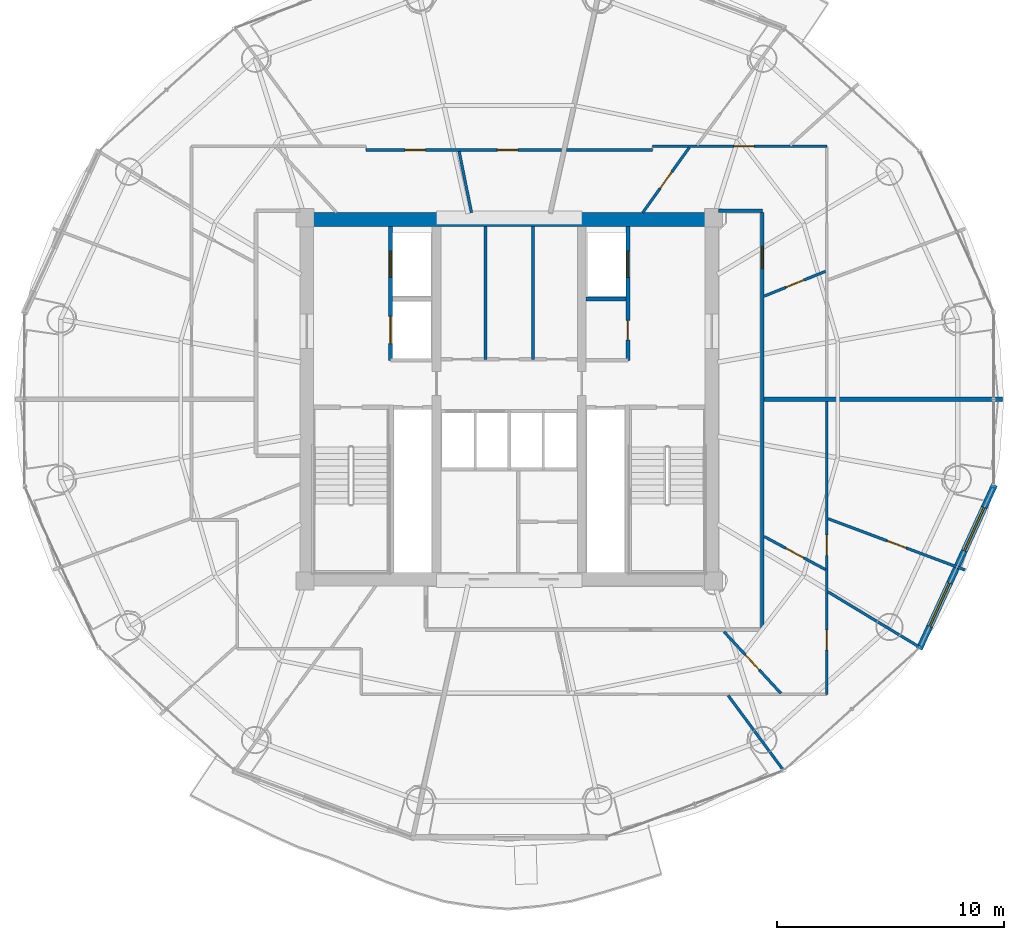
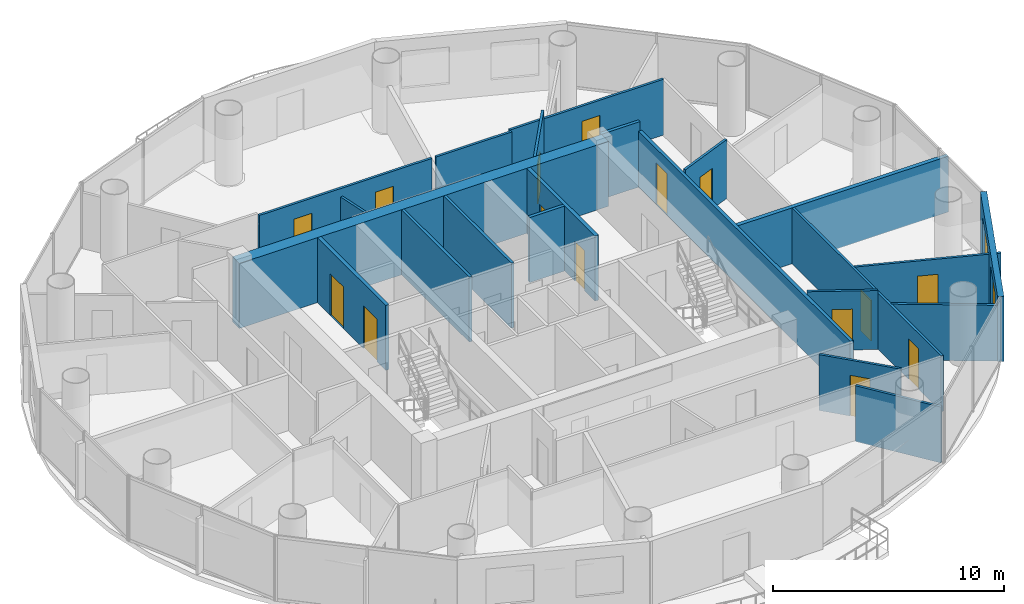
# One storey, part 22 of 26: 22 walls, 15 doors, 2 windows, 17 openings.
"""IFC4 building model written with IfcOpenShell, lengths in metres."""

from ifc_helpers import new_model, si_unit, direction, frame, frame_2d, origin, place, context, subcontext, project, spatial, rectangle, extrude, source, transform, mapped, material, layer, layer_set, type_object, element, fill, save


model = new_model("IFC4")

# Units and contexts
model_context = context("Model", 3, precision=1e-05, world=origin(), true_north=direction((-0.2419218956, 0.970295726276)))
body_context = subcontext(model_context, "Body", "Model", "MODEL_VIEW")
ifc_project = project(units=[si_unit("LENGTHUNIT", "METRE"), si_unit("AREAUNIT", "SQUARE_METRE"), si_unit("VOLUMEUNIT", "CUBIC_METRE"), si_unit("PLANEANGLEUNIT", "RADIAN"), si_unit("MASSUNIT", "GRAM", prefix="KILO")], contexts=[model_context])

# Site, building, storey
site_placement = place(None, origin())
site = spatial("IfcSite", under=ifc_project, at=site_placement, CompositionType="ELEMENT")
building_placement = place(site_placement, origin())
building = spatial("IfcBuilding", under=site, at=building_placement, Name="Cobrevalo Terracotta Tower", CompositionType="ELEMENT")
storey_placement = place(building_placement, frame((0.0, 0.0, 220.800048828125)))
storey = spatial("IfcBuildingStorey", under=building, at=storey_placement, Name="L58", CompositionType="ELEMENT", Elevation=220.800048828125)

# Walls
ifc_material_1 = material(Name="Concrete C55", Category="concrete")
ifc_layer_1 = layer(ifc_material_1, 0.60009765625)
ifc_layer_set_1 = layer_set([ifc_layer_1], Name="Concrete C55")
wall_type_1 = type_object("IfcWallType", Name="Core shear wall 600 mm Concrete C55", PredefinedType="SHEAR", material=ifc_layer_set_1)
wall_1_placement = place(storey_placement, frame((28.77490234375, 34.72509765625, 0.0), z_axis=(0.0, 0.0, 1.0), x_axis=(1.0, 0.0, 0.0)))
element("IfcWall", 1, at=wall_1_placement, inside=storey, type_object=wall_type_1, Name="L58 north core shear wall", PredefinedType="SHEAR", context=body_context, shape_type="SweptSolid", body=[
    extrude(rectangle(XDim=18.4501953125, YDim=0.60009765625, at=frame_2d((9.22509765625, 0.0))), origin(), (0.0, 0.0, 1.0), 3.43505859375),
])
ifc_material_2 = material(Name="Gypsum board on steel stud", Category="steel")
ifc_layer_2 = layer(ifc_material_2, 0.159912109375)
ifc_layer_set_2 = layer_set([ifc_layer_2], Name="Gypsum board on steel stud")
wall_type_2 = type_object("IfcWallType", Name="Fire-rated corridor acoustic partition wall 160 mm", PredefinedType="PARTITIONING", material=ifc_layer_set_2)
wall_2_placement = place(storey_placement, frame((41.389892578125, 31.219970703125, 0.0), z_axis=(0.0, 0.0, 1.0), x_axis=(1.0, 0.0, 0.0)))
element("IfcWall", 2, at=wall_2_placement, inside=storey, type_object=wall_type_2, Name="L58 interior partition IW-L58-FF2-M", PredefinedType="PARTITIONING", context=body_context, shape_type="SweptSolid", body=[
    extrude(rectangle(XDim=1.75, YDim=0.159912109375, at=frame_2d((0.875, 0.0))), origin(), (0.0, 0.0, 1.0), 3.43505859375),
])

# Wall, opening, door
wall_3_placement = place(storey_placement, frame((49.155029296875, 16.72509765625, 0.0), z_axis=(0.0, 0.0, 1.0), x_axis=(0.0, 1.0, 0.0)))
wall_3 = element("IfcWall", 3, at=wall_3_placement, inside=storey, type_object=wall_type_2, Name="L58 interior partition IW-L58-COR-E", PredefinedType="PARTITIONING", context=body_context, shape_type="SweptSolid", body=[
    extrude(rectangle(XDim=18.2998046875, YDim=0.159912109375, at=frame_2d((9.14990234375, 0.0))), origin(), (0.0, 0.0, 1.0), 2.950927734375),
])
opening_1_placement = place(wall_3_placement, frame((15.836669921875, 0.0, 0.0)))
opening_1 = element("IfcOpeningElement", 4, at=opening_1_placement, cuts=wall_3, Name="Opening ID-05", PredefinedType="OPENING", context=body_context, shape_type="SweptSolid", body=[
    extrude(rectangle(XDim=0.97998046875, YDim=2.199951171875, at=frame_2d((0.489990234375, 1.10009765625))), frame((0.0, 0.08984375, 0.0), z_axis=(0.0, -1.0, 0.0), x_axis=(1.0, 0.0, 0.0)), (0.0, 0.0, 1.0), 0.179931640625),
])
ifc_material_3 = material(Name="Solid hardwood timber", Category="wood")
door_type_1 = type_object("IfcDoorType", Name="Residence entrance fire-rated acoustic timber door 980x2200 EI 60", OperationType="NOTDEFINED", PredefinedType="DOOR", material=ifc_material_3)
shared_shape_1 = source(origin(), body_context, "Body", "SweptSolid", [
    extrude(rectangle(XDim=0.97998046875, YDim=2.199951171875, at=frame_2d((0.489990234375, 1.10009765625))), frame((0.0, 0.02490234375, 0.0), z_axis=(0.0, -1.0, 0.0), x_axis=(1.0, 0.0, 0.0)), (0.0, 0.0, 1.0), 0.050048828125),
])
door_1_placement = place(opening_1_placement, frame((0.97998046875, 0.0, 0.0), z_axis=(0.0, 0.0, 1.0), x_axis=(-1.0, 0.0, 0.0)))
door_1 = element("IfcDoor", 5, at=door_1_placement, inside=storey, type_object=door_type_1, Name="Flat L58A fire-rated apartment entrance door", OperationType="SINGLE_SWING_RIGHT", OverallHeight=2.199951171875, OverallWidth=0.97998046875, PredefinedType="DOOR", context=body_context, shape_type="MappedRepresentation", body=[
    mapped(shared_shape_1, transform((0.0, 0.0, 0.0), scale=1.0)),
])
fill(opening_1, door_1)

# Wall
wall_4_placement = place(storey_placement, frame((47.22509765625, 35.10498046875, 0.0), z_axis=(0.0, 0.0, 1.0), x_axis=(1.0, 0.0, 0.0)))
element("IfcWall", 6, at=wall_4_placement, inside=storey, type_object=wall_type_2, Name="L58 interior partition IW-L58-COR-EN-CAP", PredefinedType="PARTITIONING", context=body_context, shape_type="SweptSolid", body=[
    extrude(rectangle(XDim=1.929931640625, YDim=0.159912109375, at=frame_2d((0.96484375, 0.0))), origin(), (0.0, 0.0, 1.0), 3.43505859375),
])

# Wall, openings, doors
ifc_layer_3 = layer(ifc_material_2, 0.179931640625)
ifc_layer_set_3 = layer_set([ifc_layer_3], Name="Gypsum board on steel stud")
wall_type_3 = type_object("IfcWallType", Name="Fire-rated shaft & lobby acoustic partition wall 180 mm", PredefinedType="PARTITIONING", material=ifc_layer_set_3)
wall_5_placement = place(storey_placement, frame((32.77001953125, 28.52001953125, 0.0), z_axis=(0.0, 0.0, 1.0), x_axis=(0.0, 1.0, 0.0)))
wall_5 = element("IfcWall", 7, at=wall_5_placement, inside=storey, type_object=wall_type_3, Name="L58 interior partition IW-L58-FF1-W", PredefinedType="PARTITIONING", context=body_context, shape_type="SweptSolid", body=[
    extrude(rectangle(XDim=5.905029296875, YDim=0.179931640625, at=frame_2d((2.95263671875, 0.0))), origin(), (0.0, 0.0, 1.0), 3.43505859375),
])
opening_2_placement = place(wall_5_placement, frame((3.655029296875, 0.0, 0.0)))
opening_2 = element("IfcOpeningElement", 8, at=opening_2_placement, cuts=wall_5, Name="Opening LD-02", PredefinedType="OPENING", context=body_context, shape_type="SweptSolid", body=[
    extrude(rectangle(XDim=1.14990234375, YDim=2.199951171875, at=frame_2d((0.574951171875, 1.10009765625))), frame((0.0, 0.10009765625, 0.0), z_axis=(0.0, -1.0, 0.0), x_axis=(1.0, 0.0, 0.0)), (0.0, 0.0, 1.0), 0.199951171875),
])
opening_3_placement = place(wall_5_placement, frame((0.72998046875, 0.0, 0.0)))
opening_3 = element("IfcOpeningElement", 9, at=opening_3_placement, cuts=wall_5, Name="Opening LD-03", PredefinedType="OPENING", context=body_context, shape_type="SweptSolid", body=[
    extrude(rectangle(XDim=1.199951171875, YDim=2.25, at=frame_2d((0.60009765625, 1.125))), frame((0.0, 0.10009765625, 0.0), z_axis=(0.0, -1.0, 0.0), x_axis=(1.0, 0.0, 0.0)), (0.0, 0.0, 1.0), 0.199951171875),
])
ifc_material_4 = material(Name="Brushed stainless steel", Category="steel")
door_type_2 = type_object("IfcDoorType", Name="Firefighting lift landing bi-parting sliding door 1150x2200 EI 120", OperationType="DOUBLE_DOOR_SLIDING", PredefinedType="DOOR", material=ifc_material_4)
shared_shape_2 = source(origin(), body_context, "Body", "SweptSolid", [
    extrude(rectangle(XDim=1.14990234375, YDim=2.199951171875, at=frame_2d((0.574951171875, 1.10009765625))), frame((0.0, 0.02490234375, 0.0), z_axis=(0.0, -1.0, 0.0), x_axis=(1.0, 0.0, 0.0)), (0.0, 0.0, 1.0), 0.050048828125),
])
door_2_placement = place(opening_2_placement, origin())
door_2 = element("IfcDoor", 10, at=door_2_placement, inside=storey, type_object=door_type_2, Name="L58 lift landing door FF-1", OperationType="DOUBLE_DOOR_SLIDING", OverallHeight=2.199951171875, OverallWidth=1.14990234375, PredefinedType="DOOR", context=body_context, shape_type="MappedRepresentation", body=[
    mapped(shared_shape_2, transform((0.0, 0.0, 0.0), scale=1.0)),
])
fill(opening_2, door_2)
door_type_3 = type_object("IfcDoorType", Name="Service lift landing bi-parting sliding door 1200x2250 EI 120", OperationType="DOUBLE_DOOR_SLIDING", PredefinedType="DOOR", material=ifc_material_4)
shared_shape_3 = source(origin(), body_context, "Body", "SweptSolid", [
    extrude(rectangle(XDim=1.199951171875, YDim=2.25, at=frame_2d((0.60009765625, 1.125))), frame((0.0, 0.02490234375, 0.0), z_axis=(0.0, -1.0, 0.0), x_axis=(1.0, 0.0, 0.0)), (0.0, 0.0, 1.0), 0.050048828125),
])
door_3_placement = place(opening_3_placement, origin())
door_3 = element("IfcDoor", 11, at=door_3_placement, inside=storey, type_object=door_type_3, Name="L58 lift landing door SV-1", OperationType="DOUBLE_DOOR_SLIDING", OverallHeight=2.25, OverallWidth=1.199951171875, PredefinedType="DOOR", context=body_context, shape_type="MappedRepresentation", body=[
    mapped(shared_shape_3, transform((0.0, 0.0, 0.0), scale=1.0)),
])
fill(opening_3, door_3)

wall_6_placement = place(storey_placement, frame((43.22998046875, 28.52001953125, 0.0), z_axis=(0.0, 0.0, 1.0), x_axis=(0.0, 1.0, 0.0)))
wall_6 = element("IfcWall", 12, at=wall_6_placement, inside=storey, type_object=wall_type_3, Name="L58 interior partition IW-L58-FF2-E", PredefinedType="PARTITIONING", context=body_context, shape_type="SweptSolid", body=[
    extrude(rectangle(XDim=5.905029296875, YDim=0.179931640625, at=frame_2d((2.95263671875, 0.0))), origin(), (0.0, 0.0, 1.0), 3.43505859375),
])
opening_4_placement = place(wall_6_placement, frame((0.905029296875, 0.0, 0.0)))
opening_4 = element("IfcOpeningElement", 13, at=opening_4_placement, cuts=wall_6, Name="Opening ID-22", PredefinedType="OPENING", context=body_context, shape_type="SweptSolid", body=[
    extrude(rectangle(XDim=0.85009765625, YDim=2.10009765625, at=frame_2d((0.425048828125, 1.050048828125))), frame((0.0, 0.10009765625, 0.0), z_axis=(0.0, -1.0, 0.0), x_axis=(1.0, 0.0, 0.0)), (0.0, 0.0, 1.0), 0.199951171875),
])
opening_5_placement = place(wall_6_placement, frame((3.655029296875, 0.0, 0.0)))
opening_5 = element("IfcOpeningElement", 14, at=opening_5_placement, cuts=wall_6, Name="Opening LD-02", PredefinedType="OPENING", context=body_context, shape_type="SweptSolid", body=[
    extrude(rectangle(XDim=1.14990234375, YDim=2.199951171875, at=frame_2d((0.574951171875, 1.10009765625))), frame((0.0, 0.10009765625, 0.0), z_axis=(0.0, -1.0, 0.0), x_axis=(1.0, 0.0, 0.0)), (0.0, 0.0, 1.0), 0.199951171875),
])
ifc_material_5 = material(Name="Powder-coated steel", Category="steel")
door_type_4 = type_object("IfcDoorType", Name="Riser shaft & meter closet fire access door 850x2100 EI 60", OperationType="NOTDEFINED", PredefinedType="DOOR", material=ifc_material_5)
shared_shape_4 = source(origin(), body_context, "Body", "SweptSolid", [
    extrude(rectangle(XDim=0.85009765625, YDim=2.10009765625, at=frame_2d((0.425048828125, 1.050048828125))), frame((0.0, 0.02490234375, 0.0), z_axis=(0.0, -1.0, 0.0), x_axis=(1.0, 0.0, 0.0)), (0.0, 0.0, 1.0), 0.050048828125),
])
door_4_placement = place(opening_4_placement, frame((0.85009765625, 0.0, 0.0), z_axis=(0.0, 0.0, 1.0), x_axis=(-1.0, 0.0, 0.0)))
door_4 = element("IfcDoor", 15, at=door_4_placement, inside=storey, type_object=door_type_4, Name="L58 housekeeping store door", OperationType="SINGLE_SWING_RIGHT", OverallHeight=2.10009765625, OverallWidth=0.85009765625, PredefinedType="DOOR", context=body_context, shape_type="MappedRepresentation", body=[
    mapped(shared_shape_4, transform((0.0, 0.0, 0.0), scale=1.0)),
])
fill(opening_4, door_4)
door_5_placement = place(opening_5_placement, origin())
door_5 = element("IfcDoor", 16, at=door_5_placement, inside=storey, type_object=door_type_2, Name="L58 lift landing door FF-2", OperationType="DOUBLE_DOOR_SLIDING", OverallHeight=2.199951171875, OverallWidth=1.14990234375, PredefinedType="DOOR", context=body_context, shape_type="MappedRepresentation", body=[
    mapped(shared_shape_2, transform((0.0, 0.0, 0.0), scale=1.0)),
])
fill(opening_5, door_5)

# Wall
ifc_material_6 = material(Name="Autoclaved aerated concrete block", Category="concrete")
ifc_layer_4 = layer(ifc_material_6, 0.199951171875)
ifc_layer_set_4 = layer_set([ifc_layer_4], Name="Autoclaved aerated concrete block")
wall_type_4 = type_object("IfcWallType", Name="Fire-rated stair, shaft & demising masonry wall 200 mm", PredefinedType="PARTITIONING", material=ifc_layer_set_4)
wall_7_placement = place(storey_placement, frame((49.237060546875, 26.800048828125, 0.0), z_axis=(0.0, 0.0, 1.0), x_axis=(1.0, 0.0, 0.0)))
element("IfcWall", 17, at=wall_7_placement, inside=storey, type_object=wall_type_4, Name="L58 interior partition IW-L58-DEM-1", PredefinedType="PARTITIONING", context=body_context, shape_type="SweptSolid", body=[
    extrude(rectangle(XDim=10.5029296875, YDim=0.199951171875, at=frame_2d((5.25146484375, 0.0))), origin(), (0.0, 0.0, 1.0), 2.950927734375),
])

# Wall, openings, windows
ifc_layer_5 = layer(ifc_material_6, 0.280029296875)
ifc_layer_set_5 = layer_set([ifc_layer_5], Name="Autoclaved aerated concrete block")
wall_type_5 = type_object("IfcWallType", Name="Insulated tower spandrel & pier wall 280 mm with terracotta rainscreen", PredefinedType="SOLIDWALL", material=ifc_layer_set_5)
wall_8_placement = place(storey_placement, frame((56.06787109375, 15.79931640625, 0.0), z_axis=(0.0, 0.0, 1.0), x_axis=(0.416717018135, 0.909036262641, 0.0)))
wall_8 = element("IfcWall", 18, at=wall_8_placement, inside=storey, type_object=wall_type_5, Name="L58 terracotta rainscreen pier wall S15", PredefinedType="SOLIDWALL", context=body_context, shape_type="SweptSolid", body=[
    extrude(rectangle(XDim=7.960205078125, YDim=0.280029296875, at=frame_2d((3.97998046875, 0.0))), origin(), (0.0, 0.0, 1.0), 3.43505859375),
])
opening_6_placement = place(wall_8_placement, frame((1.099365234375, 0.0, 0.85009765625)))
opening_6 = element("IfcOpeningElement", 19, at=opening_6_placement, cuts=wall_8, Name="Opening WN-10", PredefinedType="OPENING", context=body_context, shape_type="SweptSolid", body=[
    extrude(rectangle(XDim=2.10009765625, YDim=1.949951171875, at=frame_2d((1.050048828125, 0.97509765625))), frame((0.0, 0.14990234375, 0.0), z_axis=(0.0, -1.0, 0.0), x_axis=(1.0, 0.0, 0.0)), (0.0, 0.0, 1.0), 0.300048828125),
])
opening_7_placement = place(wall_8_placement, frame((4.760986328125, 0.0, 0.85009765625)))
opening_7 = element("IfcOpeningElement", 20, at=opening_7_placement, cuts=wall_8, Name="Opening WN-10", PredefinedType="OPENING", context=body_context, shape_type="SweptSolid", body=[
    extrude(rectangle(XDim=2.10009765625, YDim=1.949951171875, at=frame_2d((1.050048828125, 0.97509765625))), frame((0.0, 0.14990234375, 0.0), z_axis=(0.0, -1.0, 0.0), x_axis=(1.0, 0.0, 0.0)), (0.0, 0.0, 1.0), 0.300048828125),
])
ifc_material_7 = material(Name="Solar-control low-E double glazing", Category="glass")
window_type = type_object("IfcWindowType", Name="Wide panoramic low-E aluminium window 2100x1950", PartitioningType="SINGLE_PANEL", PredefinedType="WINDOW", material=ifc_material_7)
shared_shape_5 = source(origin(), body_context, "Body", "SweptSolid", [
    extrude(rectangle(XDim=2.10009765625, YDim=1.949951171875, at=frame_2d((1.050048828125, 0.97509765625))), frame((0.0, 0.030029296875, 0.0), z_axis=(0.0, -1.0, 0.0), x_axis=(1.0, 0.0, 0.0)), (0.0, 0.0, 1.0), 0.06005859375),
])
window_1_placement = place(opening_6_placement, origin())
window_1 = element("IfcWindow", 21, at=window_1_placement, inside=storey, type_object=window_type, Name="L58 suite window S15A", OverallHeight=1.949951171875, OverallWidth=2.10009765625, PartitioningType="SINGLE_PANEL", PredefinedType="WINDOW", context=body_context, shape_type="MappedRepresentation", body=[
    mapped(shared_shape_5, transform((0.0, 0.0, 0.0), scale=1.0)),
])
fill(opening_6, window_1)
window_2_placement = place(opening_7_placement, origin())
window_2 = element("IfcWindow", 22, at=window_2_placement, inside=storey, type_object=window_type, Name="L58 suite window S15B", OverallHeight=1.949951171875, OverallWidth=2.10009765625, PartitioningType="SINGLE_PANEL", PredefinedType="WINDOW", context=body_context, shape_type="MappedRepresentation", body=[
    mapped(shared_shape_5, transform((0.0, 0.0, 0.0), scale=1.0)),
])
fill(opening_7, window_2)

# Walls
ifc_layer_6 = layer(ifc_material_6, 0.139892578125)
ifc_layer_set_6 = layer_set([ifc_layer_6], Name="Autoclaved aerated concrete block")
wall_type_6 = type_object("IfcWallType", Name="Moisture-resistant wet-room & core service partition 140 mm", PredefinedType="PARTITIONING", material=ifc_layer_set_6)
for number, where, z_axis, x_axis, name in (
    (23, (36.949951171875, 28.56005859375, 0.0), (0.0, 0.0, 1.0), (0.0, 1.0, 0.0), "L58 interior partition IW-L58-KVN-A"),
    (24, (39.050048828125, 28.56005859375, 0.0), (0.0, 0.0, 1.0), (0.0, 1.0, 0.0), "L58 interior partition IW-L58-KVN-B"),
):
    element("IfcWall", number, at=place(storey_placement, frame(where, z_axis=z_axis, x_axis=x_axis)), inside=storey, type_object=wall_type_6, Name=name, PredefinedType="PARTITIONING", context=body_context, shape_type="SweptSolid", body=[
        extrude(rectangle(XDim=5.864990234375, YDim=0.139892578125, at=frame_2d((2.9326171875, 0.0))), origin(), (0.0, 0.0, 1.0), 3.43505859375),
    ])
ifc_layer_7 = layer(ifc_material_2, 0.1201171875)
ifc_layer_set_7 = layer_set([ifc_layer_7], Name="Gypsum board on steel stud")
wall_type_7 = type_object("IfcWallType", Name="Residential internal acoustic stud partition 120 mm", PredefinedType="PARTITIONING", material=ifc_layer_set_7)
wall_9_placement = place(storey_placement, frame((40.52001953125, 37.784912109375, 0.0), z_axis=(0.0, 0.0, 1.0), x_axis=(1.0, 0.0, 0.0)))
element("IfcWall", 25, at=wall_9_placement, inside=storey, type_object=wall_type_7, Name="L58 interior partition IW-L58-U1-RING0_0", PredefinedType="PARTITIONING", context=body_context, shape_type="SweptSolid", body=[
    extrude(rectangle(XDim=3.784912109375, YDim=0.1201171875, at=frame_2d((1.892578125, 0.0))), origin(), (0.0, 0.0, 1.0), 2.950927734375),
])

# Wall, opening, door
wall_10_placement = place(storey_placement, frame((44.304931640625, 37.945068359375, 0.0), z_axis=(0.0, 0.0, 1.0), x_axis=(1.0, 0.0, 0.0)))
wall_10 = element("IfcWall", 26, at=wall_10_placement, inside=storey, type_object=wall_type_7, Name="L58 interior partition IW-L58-U1-RING2_0", PredefinedType="PARTITIONING", context=body_context, shape_type="SweptSolid", body=[
    extrude(rectangle(XDim=7.690185546875, YDim=0.1201171875, at=frame_2d((3.84521484375, 0.0))), origin(), (0.0, 0.0, 1.0), 2.950927734375),
])
opening_8_placement = place(wall_10_placement, frame((3.591064453125, 0.0, 0.0)))
opening_8 = element("IfcOpeningElement", 27, at=opening_8_placement, cuts=wall_10, Name="Opening ID-12", PredefinedType="OPENING", context=body_context, shape_type="SweptSolid", body=[
    extrude(rectangle(XDim=0.89990234375, YDim=2.14990234375, at=frame_2d((0.449951171875, 1.074951171875))), frame((0.0, 0.070068359375, 0.0), z_axis=(0.0, -1.0, 0.0), x_axis=(1.0, 0.0, 0.0)), (0.0, 0.0, 1.0), 0.14013671875),
])
ifc_material_8 = material(Name="Engineered timber", Category="wood")
door_type_5 = type_object("IfcDoorType", Name="Internal residence & suite timber door 900x2150", OperationType="NOTDEFINED", PredefinedType="DOOR", material=ifc_material_8)
shared_shape_6 = source(origin(), body_context, "Body", "SweptSolid", [
    extrude(rectangle(XDim=0.89990234375, YDim=2.14990234375, at=frame_2d((0.449951171875, 1.074951171875))), frame((0.0, 0.02490234375, 0.0), z_axis=(0.0, -1.0, 0.0), x_axis=(1.0, 0.0, 0.0)), (0.0, 0.0, 1.0), 0.050048828125),
])
door_6_placement = place(opening_8_placement, origin())
door_6 = element("IfcDoor", 28, at=door_6_placement, inside=storey, type_object=door_type_5, Name="Flat L58A Principal Guest Bedroom internal door", OperationType="SINGLE_SWING_RIGHT", OverallHeight=2.14990234375, OverallWidth=0.89990234375, PredefinedType="DOOR", context=body_context, shape_type="MappedRepresentation", body=[
    mapped(shared_shape_6, transform((0.0, 0.0, 0.0), scale=1.0)),
])
fill(opening_8, door_6)

wall_11_placement = place(storey_placement, frame((49.23681640625, 31.347412109375, 0.0), z_axis=(0.0, 0.0, 1.0), x_axis=(0.926960690293, 0.375158471383, 0.0)))
wall_11 = element("IfcWall", 29, at=wall_11_placement, inside=storey, type_object=wall_type_7, Name="L58 interior partition IW-L58-U1-IRAD1", PredefinedType="PARTITIONING", context=body_context, shape_type="SweptSolid", body=[
    extrude(rectangle(XDim=2.91357421875, YDim=0.1201171875, at=frame_2d((1.456787109375, 0.0))), origin(), (0.0, 0.0, 1.0), 3.10986328125),
])
opening_9_placement = place(wall_11_placement, frame((1.026611328125, 0.0, 0.0)))
opening_9 = element("IfcOpeningElement", 30, at=opening_9_placement, cuts=wall_11, Name="Opening ID-19", PredefinedType="OPENING", context=body_context, shape_type="SweptSolid", body=[
    extrude(rectangle(XDim=0.860107421875, YDim=2.14990234375, at=frame_2d((0.43017578125, 1.074951171875))), frame((0.0, 0.070068359375, 0.0), z_axis=(0.0, -1.0, 0.0), x_axis=(1.0, 0.0, 0.0)), (0.0, 0.0, 1.0), 0.14013671875),
])
ifc_material_9 = material(Name="Moisture-sealed timber", Category="wood")
door_type_6 = type_object("IfcDoorType", Name="Suite bathroom internal timber door 860x2150", OperationType="NOTDEFINED", PredefinedType="DOOR", material=ifc_material_9)
shared_shape_7 = source(origin(), body_context, "Body", "SweptSolid", [
    extrude(rectangle(XDim=0.860107421875, YDim=2.14990234375, at=frame_2d((0.43017578125, 1.074951171875))), frame((0.0, 0.02490234375, 0.0), z_axis=(0.0, -1.0, 0.0), x_axis=(1.0, 0.0, 0.0)), (0.0, 0.0, 1.0), 0.050048828125),
])
door_7_placement = place(opening_9_placement, frame((0.860107421875, 0.0, 0.0), z_axis=(0.0, 0.0, 1.0), x_axis=(-1.0, 0.0, 0.0)))
door_7 = element("IfcDoor", 31, at=door_7_placement, inside=storey, type_object=door_type_6, Name="Flat L58A Primary Bathroom internal door", OperationType="SINGLE_SWING_LEFT", OverallHeight=2.14990234375, OverallWidth=0.860107421875, PredefinedType="DOOR", context=body_context, shape_type="MappedRepresentation", body=[
    mapped(shared_shape_7, transform((0.0, 0.0, 0.0), scale=1.0)),
])
fill(opening_9, door_7)

wall_12_placement = place(storey_placement, frame((43.884521484375, 35.026611328125, 0.0), z_axis=(0.0, 0.0, 1.0), x_axis=(0.581801309538, 0.813330951225, 0.0)))
wall_12 = element("IfcWall", 32, at=wall_12_placement, inside=storey, type_object=wall_type_7, Name="L58 interior partition IW-L58-U1-IRAD2", PredefinedType="PARTITIONING", context=body_context, shape_type="SweptSolid", body=[
    extrude(rectangle(XDim=3.526123046875, YDim=0.1201171875, at=frame_2d((1.76318359375, 0.0))), origin(), (0.0, 0.0, 1.0), 3.43505859375),
])
opening_10_placement = place(wall_12_placement, frame((1.31298828125, 0.0, 0.0)))
opening_10 = element("IfcOpeningElement", 33, at=opening_10_placement, cuts=wall_12, Name="Opening ID-12", PredefinedType="OPENING", context=body_context, shape_type="SweptSolid", body=[
    extrude(rectangle(XDim=0.89990234375, YDim=2.14990234375, at=frame_2d((0.449951171875, 1.074951171875))), frame((0.0, 0.070068359375, 0.0), z_axis=(0.0, -1.0, 0.0), x_axis=(1.0, 0.0, 0.0)), (0.0, 0.0, 1.0), 0.14013671875),
])
door_8_placement = place(opening_10_placement, origin())
door_8 = element("IfcDoor", 34, at=door_8_placement, inside=storey, type_object=door_type_5, Name="Flat L58A Kitchen internal door", OperationType="SINGLE_SWING_RIGHT", OverallHeight=2.14990234375, OverallWidth=0.89990234375, PredefinedType="DOOR", context=body_context, shape_type="MappedRepresentation", body=[
    mapped(shared_shape_6, transform((0.0, 0.0, 0.0), scale=1.0)),
])
fill(opening_10, door_8)

# Wall, openings, doors
wall_13_placement = place(storey_placement, frame((31.695068359375, 37.784912109375, 0.0), z_axis=(0.0, 0.0, 1.0), x_axis=(1.0, 0.0, 0.0)))
wall_13 = element("IfcWall", 35, at=wall_13_placement, inside=storey, type_object=wall_type_7, Name="L58 interior partition IW-L58-U2-RING3_0", PredefinedType="PARTITIONING", context=body_context, shape_type="SweptSolid", body=[
    extrude(rectangle(XDim=8.620849609375, YDim=0.1201171875, at=frame_2d((4.310546875, 0.0))), origin(), (0.0, 0.0, 1.0), 2.950927734375),
])
opening_11_placement = place(wall_13_placement, frame((1.716064453125, 0.0, 0.0)))
opening_11 = element("IfcOpeningElement", 36, at=opening_11_placement, cuts=wall_13, Name="Opening ID-12", PredefinedType="OPENING", context=body_context, shape_type="SweptSolid", body=[
    extrude(rectangle(XDim=0.89990234375, YDim=2.14990234375, at=frame_2d((0.449951171875, 1.074951171875))), frame((0.0, 0.070068359375, 0.0), z_axis=(0.0, -1.0, 0.0), x_axis=(1.0, 0.0, 0.0)), (0.0, 0.0, 1.0), 0.14013671875),
])
opening_12_placement = place(wall_13_placement, frame((5.7841796875, 0.0, 0.0)))
opening_12 = element("IfcOpeningElement", 37, at=opening_12_placement, cuts=wall_13, Name="Opening ID-12", PredefinedType="OPENING", context=body_context, shape_type="SweptSolid", body=[
    extrude(rectangle(XDim=0.89990234375, YDim=2.14990234375, at=frame_2d((0.449951171875, 1.074951171875))), frame((0.0, 0.070068359375, 0.0), z_axis=(0.0, -1.0, 0.0), x_axis=(1.0, 0.0, 0.0)), (0.0, 0.0, 1.0), 0.14013671875),
])
door_9_placement = place(opening_11_placement, frame((0.89990234375, 0.0, 0.0), z_axis=(0.0, 0.0, 1.0), x_axis=(-1.0, 0.0, 0.0)))
door_9 = element("IfcDoor", 38, at=door_9_placement, inside=storey, type_object=door_type_5, Name="Flat L58B Kitchen internal door", OperationType="SINGLE_SWING_LEFT", OverallHeight=2.14990234375, OverallWidth=0.89990234375, PredefinedType="DOOR", context=body_context, shape_type="MappedRepresentation", body=[
    mapped(shared_shape_6, transform((0.0, 0.0, 0.0), scale=1.0)),
])
fill(opening_11, door_9)
door_10_placement = place(opening_12_placement, frame((0.89990234375, 0.0, 0.0), z_axis=(0.0, 0.0, 1.0), x_axis=(-1.0, 0.0, 0.0)))
door_10 = element("IfcDoor", 39, at=door_10_placement, inside=storey, type_object=door_type_5, Name="Flat L58B Home Office Study internal door", OperationType="SINGLE_SWING_RIGHT", OverallHeight=2.14990234375, OverallWidth=0.89990234375, PredefinedType="DOOR", context=body_context, shape_type="MappedRepresentation", body=[
    mapped(shared_shape_6, transform((0.0, 0.0, 0.0), scale=1.0)),
])
fill(opening_12, door_10)

# Wall
wall_14_placement = place(storey_placement, frame((36.3388671875, 35.02685546875, 0.0), z_axis=(0.0, 0.0, 1.0), x_axis=(-0.197856196381, 0.980231057228, 0.0)))
element("IfcWall", 40, at=wall_14_placement, inside=storey, type_object=wall_type_7, Name="L58 interior partition IW-L58-U2-IRAD1", PredefinedType="PARTITIONING", context=body_context, shape_type="SweptSolid", body=[
    extrude(rectangle(XDim=2.751708984375, YDim=0.1201171875, at=frame_2d((1.3759765625, 0.0))), origin(), (0.0, 0.0, 1.0), 2.52001953125),
])

# Wall, openings, doors
wall_15_placement = place(storey_placement, frame((51.9951171875, 26.697998046875, 0.0), z_axis=(0.0, 0.0, 1.0), x_axis=(0.0, -1.0, 0.0)))
wall_15 = element("IfcWall", 41, at=wall_15_placement, inside=storey, type_object=wall_type_7, Name="L58 interior partition IW-L58-U4-RING0_0", PredefinedType="PARTITIONING", context=body_context, shape_type="SweptSolid", body=[
    extrude(rectangle(XDim=12.89306640625, YDim=0.1201171875, at=frame_2d((6.446533203125, 0.0))), origin(), (0.0, 0.0, 1.0), 2.950927734375),
])
opening_13_placement = place(wall_15_placement, frame((10.05078125, 0.0, 0.0)))
opening_13 = element("IfcOpeningElement", 42, at=opening_13_placement, cuts=wall_15, Name="Opening ID-12", PredefinedType="OPENING", context=body_context, shape_type="SweptSolid", body=[
    extrude(rectangle(XDim=0.89990234375, YDim=2.14990234375, at=frame_2d((0.449951171875, 1.074951171875))), frame((0.0, 0.070068359375, 0.0), z_axis=(0.0, -1.0, 0.0), x_axis=(1.0, 0.0, 0.0)), (0.0, 0.0, 1.0), 0.14013671875),
])
opening_14_placement = place(wall_15_placement, frame((5.872802734375, 0.0, 0.0)))
opening_14 = element("IfcOpeningElement", 43, at=opening_14_placement, cuts=wall_15, Name="Opening ID-12", PredefinedType="OPENING", context=body_context, shape_type="SweptSolid", body=[
    extrude(rectangle(XDim=0.89990234375, YDim=2.14990234375, at=frame_2d((0.449951171875, 1.074951171875))), frame((0.0, 0.070068359375, 0.0), z_axis=(0.0, -1.0, 0.0), x_axis=(1.0, 0.0, 0.0)), (0.0, 0.0, 1.0), 0.14013671875),
])
door_11_placement = place(opening_13_placement, origin())
door_11 = element("IfcDoor", 44, at=door_11_placement, inside=storey, type_object=door_type_5, Name="Flat L58D Master Bedroom internal door", OperationType="SINGLE_SWING_LEFT", OverallHeight=2.14990234375, OverallWidth=0.89990234375, PredefinedType="DOOR", context=body_context, shape_type="MappedRepresentation", body=[
    mapped(shared_shape_6, transform((0.0, 0.0, 0.0), scale=1.0)),
])
fill(opening_13, door_11)
door_12_placement = place(opening_14_placement, origin())
door_12 = element("IfcDoor", 45, at=door_12_placement, inside=storey, type_object=door_type_5, Name="Flat L58D Principal Guest Bedroom internal door", OperationType="SINGLE_SWING_RIGHT", OverallHeight=2.14990234375, OverallWidth=0.89990234375, PredefinedType="DOOR", context=body_context, shape_type="MappedRepresentation", body=[
    mapped(shared_shape_6, transform((0.0, 0.0, 0.0), scale=1.0)),
])
fill(opening_14, door_12)

# Walls
wall_16_placement = place(storey_placement, frame((47.6455078125, 13.755126953125, 0.0), z_axis=(0.0, 0.0, 1.0), x_axis=(0.594518373783, -0.80408202519, 0.0)))
element("IfcWall", 46, at=wall_16_placement, inside=storey, type_object=wall_type_7, Name="L58 interior partition IW-L58-U4-ORAD1", PredefinedType="PARTITIONING", context=body_context, shape_type="SweptSolid", body=[
    extrude(rectangle(XDim=4.043701171875, YDim=0.1201171875, at=frame_2d((2.02197265625, 0.0))), origin(), (0.0, 0.0, 1.0), 2.950927734375),
])
wall_17_placement = place(storey_placement, frame((52.048095703125, 18.317626953125, 0.0), z_axis=(0.0, 0.0, 1.0), x_axis=(0.856051317976, -0.516890840499, 0.0)))
element("IfcWall", 47, at=wall_17_placement, inside=storey, type_object=wall_type_7, Name="L58 interior partition IW-L58-U4-ORAD2", PredefinedType="PARTITIONING", context=body_context, shape_type="SweptSolid", body=[
    extrude(rectangle(XDim=4.657958984375, YDim=0.1201171875, at=frame_2d((2.3291015625, 0.0))), origin(), (0.0, 0.0, 1.0), 2.950927734375),
])

# Wall, opening, door
wall_18_placement = place(storey_placement, frame((52.052978515625, 21.539794921875, 0.0), z_axis=(0.0, 0.0, 1.0), x_axis=(0.936534700322, -0.350574892274, 0.0)))
wall_18 = element("IfcWall", 48, at=wall_18_placement, inside=storey, type_object=wall_type_7, Name="L58 interior partition IW-L58-U4-ORAD3M1", PredefinedType="PARTITIONING", context=body_context, shape_type="SweptSolid", body=[
    extrude(rectangle(XDim=6.43896484375, YDim=0.1201171875, at=frame_2d((3.219482421875, 0.0))), origin(), (0.0, 0.0, 1.0), 2.950927734375),
])
opening_15_placement = place(wall_18_placement, frame((2.769287109375, 0.0, 0.0)))
opening_15 = element("IfcOpeningElement", 49, at=opening_15_placement, cuts=wall_18, Name="Opening ID-12", PredefinedType="OPENING", context=body_context, shape_type="SweptSolid", body=[
    extrude(rectangle(XDim=0.89990234375, YDim=2.14990234375, at=frame_2d((0.449951171875, 1.074951171875))), frame((0.0, 0.070068359375, 0.0), z_axis=(0.0, -1.0, 0.0), x_axis=(1.0, 0.0, 0.0)), (0.0, 0.0, 1.0), 0.14013671875),
])
door_13_placement = place(opening_15_placement, origin())
door_13 = element("IfcDoor", 50, at=door_13_placement, inside=storey, type_object=door_type_5, Name="Flat L58D Penthouse Family Lounge internal door", OperationType="SINGLE_SWING_LEFT", OverallHeight=2.14990234375, OverallWidth=0.89990234375, PredefinedType="DOOR", context=body_context, shape_type="MappedRepresentation", body=[
    mapped(shared_shape_6, transform((0.0, 0.0, 0.0), scale=1.0)),
])
fill(opening_15, door_13)

wall_19_placement = place(storey_placement, frame((47.46044921875, 16.56494140625, 0.0), z_axis=(0.0, 0.0, 1.0), x_axis=(0.678787443458, -0.734334805524, 0.0)))
wall_19 = element("IfcWall", 51, at=wall_19_placement, inside=storey, type_object=wall_type_7, Name="L58 interior partition IW-L58-U4-IRAD2", PredefinedType="PARTITIONING", context=body_context, shape_type="SweptSolid", body=[
    extrude(rectangle(XDim=3.6962890625, YDim=0.1201171875, at=frame_2d((1.84814453125, 0.0))), origin(), (0.0, 0.0, 1.0), 2.950927734375),
])
opening_16_placement = place(wall_19_placement, frame((1.398193359375, 0.0, 0.0)))
opening_16 = element("IfcOpeningElement", 52, at=opening_16_placement, cuts=wall_19, Name="Opening ID-12", PredefinedType="OPENING", context=body_context, shape_type="SweptSolid", body=[
    extrude(rectangle(XDim=0.89990234375, YDim=2.14990234375, at=frame_2d((0.449951171875, 1.074951171875))), frame((0.0, 0.070068359375, 0.0), z_axis=(0.0, -1.0, 0.0), x_axis=(1.0, 0.0, 0.0)), (0.0, 0.0, 1.0), 0.14013671875),
])
door_14_placement = place(opening_16_placement, origin())
door_14 = element("IfcDoor", 53, at=door_14_placement, inside=storey, type_object=door_type_5, Name="Flat L58D Kitchen internal door", OperationType="SINGLE_SWING_LEFT", OverallHeight=2.14990234375, OverallWidth=0.89990234375, PredefinedType="DOOR", context=body_context, shape_type="MappedRepresentation", body=[
    mapped(shared_shape_6, transform((0.0, 0.0, 0.0), scale=1.0)),
])
fill(opening_16, door_14)

wall_20_placement = place(storey_placement, frame((49.23681640625, 20.75341796875, 0.0), z_axis=(0.0, 0.0, 1.0), x_axis=(0.880601289356, -0.473857963091, 0.0)))
wall_20 = element("IfcWall", 54, at=wall_20_placement, inside=storey, type_object=wall_type_7, Name="L58 interior partition IW-L58-U4-IRAD3", PredefinedType="PARTITIONING", context=body_context, shape_type="SweptSolid", body=[
    extrude(rectangle(XDim=3.070068359375, YDim=0.1201171875, at=frame_2d((1.53515625, 0.0))), origin(), (0.0, 0.0, 1.0), 3.10986328125),
])
opening_17_placement = place(wall_20_placement, frame((1.085205078125, 0.0, 0.0)))
opening_17 = element("IfcOpeningElement", 55, at=opening_17_placement, cuts=wall_20, Name="Opening ID-12", PredefinedType="OPENING", context=body_context, shape_type="SweptSolid", body=[
    extrude(rectangle(XDim=0.89990234375, YDim=2.14990234375, at=frame_2d((0.449951171875, 1.074951171875))), frame((0.0, 0.070068359375, 0.0), z_axis=(0.0, -1.0, 0.0), x_axis=(1.0, 0.0, 0.0)), (0.0, 0.0, 1.0), 0.14013671875),
])
door_15_placement = place(opening_17_placement, origin())
door_15 = element("IfcDoor", 56, at=door_15_placement, inside=storey, type_object=door_type_5, Name="Flat L58D Home Office Study internal door", OperationType="SINGLE_SWING_RIGHT", OverallHeight=2.14990234375, OverallWidth=0.89990234375, PredefinedType="DOOR", context=body_context, shape_type="MappedRepresentation", body=[
    mapped(shared_shape_6, transform((0.0, 0.0, 0.0), scale=1.0)),
])
fill(opening_17, door_15)

save(model, "model.ifc")
